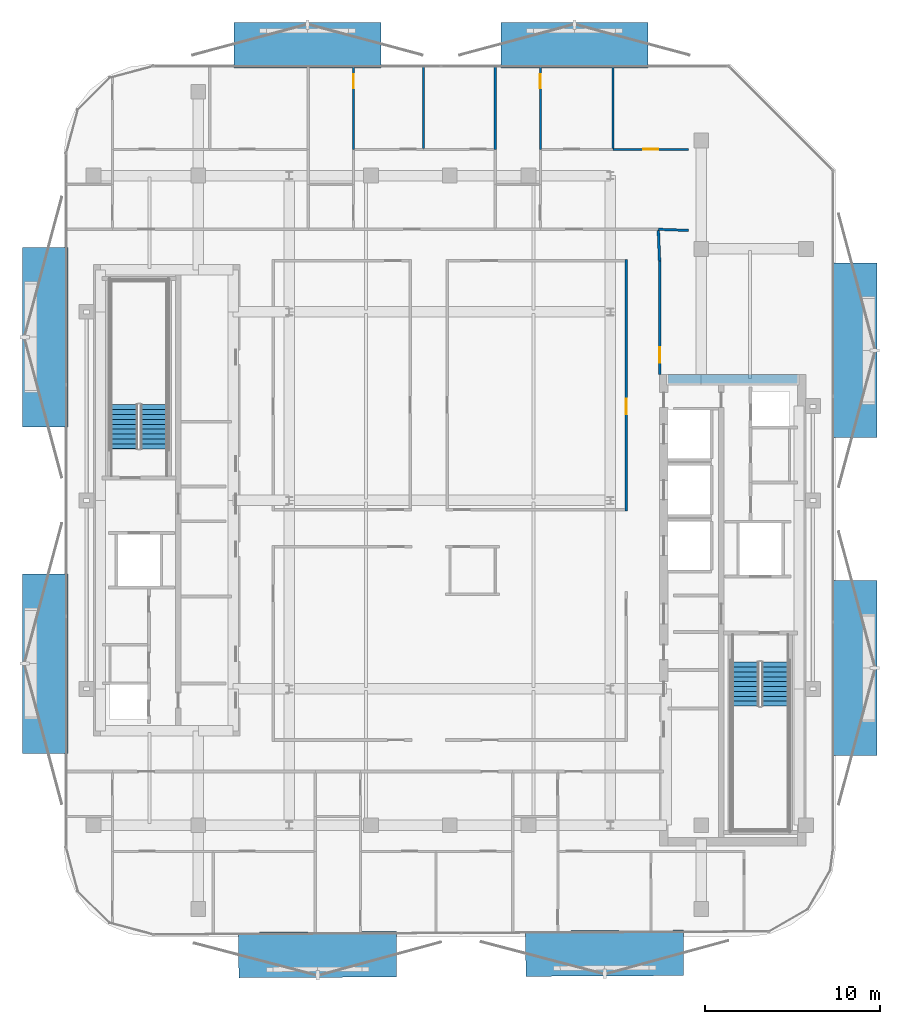
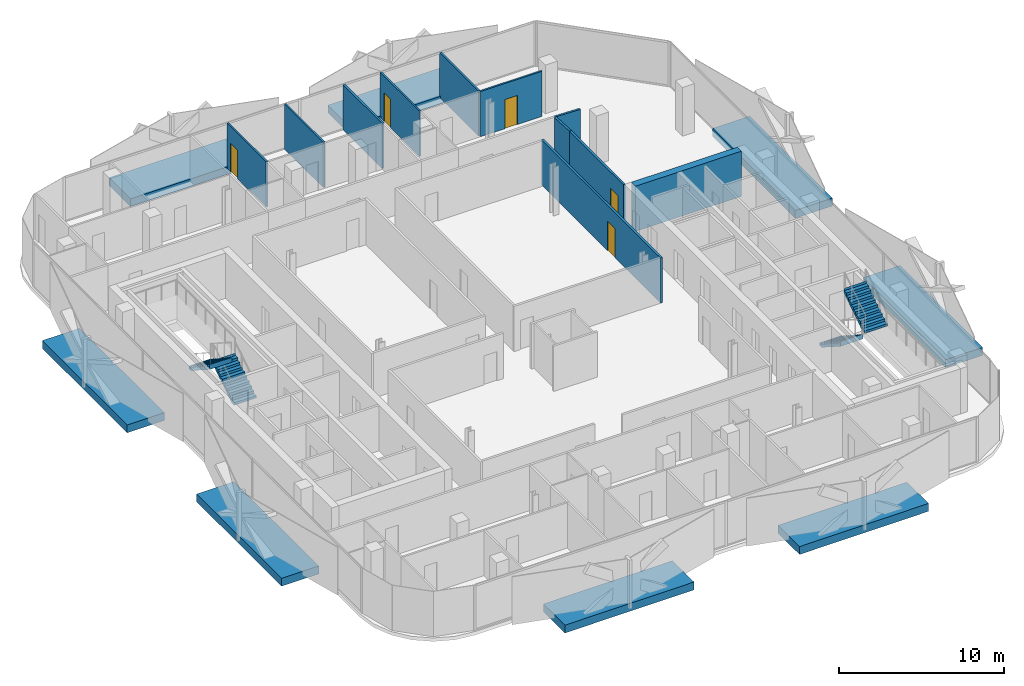
# One storey, part 7 of 16: 11 walls, 8 discrete accessories, 5 doors, 4 stair flights, 5 openings, 2 elements without a shape of their own.
"""IFC4 building model written with IfcOpenShell, lengths in metres."""

from ifc_helpers import new_model, si_unit, direction, frame, frame_2d, origin, origin_2d, place, context, subcontext, project, spatial, polyline, rectangle, outline, extrude, material, layer, layer_set, type_object, element, fill, aggregate, save


model = new_model("IFC4")

# Units and contexts
model_context = context("Model", 3, precision=1e-05, world=origin(), true_north=direction((0.0, 1.0)))
body_context = subcontext(model_context, "Body", "Model", "MODEL_VIEW")
ifc_project = project(units=[si_unit("LENGTHUNIT", "METRE"), si_unit("AREAUNIT", "SQUARE_METRE"), si_unit("VOLUMEUNIT", "CUBIC_METRE"), si_unit("PLANEANGLEUNIT", "RADIAN"), si_unit("MASSUNIT", "GRAM", prefix="KILO")], contexts=[model_context])

# Site, building, storey
site_placement = place(None, origin())
site = spatial("IfcSite", under=ifc_project, at=site_placement, CompositionType="ELEMENT")
building_placement = place(site_placement, origin())
building = spatial("IfcBuilding", under=site, at=building_placement, Name="Khairoan Windgate Tower", CompositionType="ELEMENT")
storey_placement = place(building_placement, frame((0.0, 0.0, 247.60009765625)))
storey = spatial("IfcBuildingStorey", under=building, at=storey_placement, Name="L58", CompositionType="ELEMENT", Elevation=247.60009765625)

# Walls
ifc_material_1 = material(Name="Acoustic Fire-Rated Gypsum Partition", Category="gypsum")
ifc_layer_1 = layer(ifc_material_1, 0.139892578125, Name="Acoustic Fire-Rated Gypsum Partition")
ifc_layer_set_1 = layer_set([ifc_layer_1], Name="Acoustic Fire-Rated Gypsum Partition")
wall_type_1 = type_object("IfcWallType", Name="Inter-Tenancy Compartment Wall", PredefinedType="PARTITIONING", material=ifc_layer_set_1)
wall_1_placement = place(storey_placement, frame((2.60009765625, 20.10009765625, 0.0), z_axis=(0.0, 0.0, 1.0), x_axis=(0.0, 1.0, 0.0)))
element("IfcWall", 1, at=wall_1_placement, inside=storey, type_object=wall_type_1, Name="L58 Interior Partition 062", PredefinedType="PARTITIONING", context=body_context, shape_type="SweptSolid", body=[
    extrude(rectangle(XDim=4.7548828125, YDim=0.139892578125, at=frame_2d((2.37744140625, 0.0))), origin(), (0.0, 0.0, 1.0), 3.33984375),
])
wall_2_placement = place(storey_placement, frame((11.93994140625, 15.52490234375, 0.0), z_axis=(0.0, 0.0, 1.0), x_axis=(0.999304229002, -0.037296888581, 0.0)))
element("IfcWall", 2, at=wall_2_placement, inside=storey, type_object=wall_type_1, Name="L58 Interior Partition 069", PredefinedType="PARTITIONING", context=body_context, shape_type="SweptSolid", body=[
    extrude(rectangle(XDim=1.7412109375, YDim=0.139892578125, at=frame_2d((0.87060546875, 0.0))), origin(), (0.0, 0.0, 1.0), 3.33984375),
])

# Wall, opening, door
ifc_material_2 = material(Name="Gypsum Stud Partition", Category="gypsum")
ifc_layer_2 = layer(ifc_material_2, 0.1201171875, Name="Gypsum Stud Partition")
ifc_layer_set_2 = layer_set([ifc_layer_2], Name="Gypsum Stud Partition")
wall_type_2 = type_object("IfcWallType", Name="Internal Room Partition Wall", PredefinedType="PARTITIONING", material=ifc_layer_set_2)
wall_3_placement = place(storey_placement, frame((-5.510009765625, 20.10009765625, 0.0), z_axis=(0.0, 0.0, 1.0), x_axis=(0.0, 1.0, 0.0)))
wall_3 = element("IfcWall", 3, at=wall_3_placement, inside=storey, type_object=wall_type_2, Name="L58 Interior Partition 056", PredefinedType="PARTITIONING", context=body_context, shape_type="SweptSolid", body=[
    extrude(rectangle(XDim=4.7548828125, YDim=0.1201171875, at=frame_2d((2.37744140625, 0.0))), origin(), (0.0, 0.0, 1.0), 3.33984375),
])
opening_1_placement = place(wall_3_placement, frame((3.4951171875, 0.0, 0.0)))
opening_1 = element("IfcOpeningElement", 4, at=opening_1_placement, cuts=wall_3, Name="Opening ID-BTH", PredefinedType="OPENING", context=body_context, shape_type="SweptSolid", body=[
    extrude(rectangle(XDim=0.800048828125, YDim=2.10009765625, at=frame_2d((0.39990234375, 1.050048828125))), frame((0.0, 0.070068359375, 0.0), z_axis=(0.0, -1.0, 0.0), x_axis=(1.0, 0.0, 0.0)), (0.0, 0.0, 1.0), 0.14013671875),
])
ifc_material_3 = material(Name="Teak Veneer Timber Leaf", Category="wood")
door_type_1 = type_object("IfcDoorType", Name="Internal Bathroom Door ID-BTH 800x2100", OperationType="NOTDEFINED", PredefinedType="DOOR", material=ifc_material_3)
door_1_placement = place(opening_1_placement, origin())
door_1 = element("IfcDoor", 5, at=door_1_placement, inside=storey, type_object=door_type_1, Name="L58 L58-41-L58-43 Door", OperationType="SINGLE_SWING_RIGHT", OverallHeight=2.10009765625, OverallWidth=0.800048828125, PredefinedType="DOOR", context=body_context, shape_type="SweptSolid", body=[
    extrude(rectangle(XDim=0.800048828125, YDim=2.10009765625, at=frame_2d((0.39990234375, 1.050048828125))), frame((0.0, 0.02490234375, 0.0), z_axis=(0.0, -1.0, 0.0), x_axis=(1.0, 0.0, 0.0)), (0.0, 0.0, 1.0), 0.050048828125),
])
fill(opening_1, door_1)

# Wall
wall_4_placement = place(storey_placement, frame((-1.4951171875, 20.159912109375, 0.0), z_axis=(0.0, 0.0, 1.0), x_axis=(0.0, 1.0, 0.0)))
element("IfcWall", 6, at=wall_4_placement, inside=storey, type_object=wall_type_2, Name="L58 Interior Partition 061", PredefinedType="PARTITIONING", context=body_context, shape_type="SweptSolid", body=[
    extrude(rectangle(XDim=4.695068359375, YDim=0.1201171875, at=frame_2d((2.34765625, 0.0))), origin(), (0.0, 0.0, 1.0), 3.33984375),
])

# Wall, opening, door
wall_5_placement = place(storey_placement, frame((5.18994140625, 20.10009765625, 0.0), z_axis=(0.0, 0.0, 1.0), x_axis=(0.0, 1.0, 0.0)))
wall_5 = element("IfcWall", 7, at=wall_5_placement, inside=storey, type_object=wall_type_2, Name="L58 Interior Partition 066", PredefinedType="PARTITIONING", context=body_context, shape_type="SweptSolid", body=[
    extrude(rectangle(XDim=4.7548828125, YDim=0.1201171875, at=frame_2d((2.37744140625, 0.0))), origin(), (0.0, 0.0, 1.0), 3.33984375),
])
opening_2_placement = place(wall_5_placement, frame((3.4951171875, 0.0, 0.0)))
opening_2 = element("IfcOpeningElement", 8, at=opening_2_placement, cuts=wall_5, Name="Opening ID-BTH", PredefinedType="OPENING", context=body_context, shape_type="SweptSolid", body=[
    extrude(rectangle(XDim=0.800048828125, YDim=2.10009765625, at=frame_2d((0.39990234375, 1.050048828125))), frame((0.0, 0.070068359375, 0.0), z_axis=(0.0, -1.0, 0.0), x_axis=(1.0, 0.0, 0.0)), (0.0, 0.0, 1.0), 0.14013671875),
])
door_2_placement = place(opening_2_placement, origin())
door_2 = element("IfcDoor", 9, at=door_2_placement, inside=storey, type_object=door_type_1, Name="L58 L58-46-L58-48 Door", OperationType="SINGLE_SWING_LEFT", OverallHeight=2.10009765625, OverallWidth=0.800048828125, PredefinedType="DOOR", context=body_context, shape_type="SweptSolid", body=[
    extrude(rectangle(XDim=0.800048828125, YDim=2.10009765625, at=frame_2d((0.39990234375, 1.050048828125))), frame((0.0, 0.02490234375, 0.0), z_axis=(0.0, -1.0, 0.0), x_axis=(1.0, 0.0, 0.0)), (0.0, 0.0, 1.0), 0.050048828125),
])
fill(opening_2, door_2)

wall_6_placement = place(storey_placement, frame((9.35498046875, 20.10009765625, 0.0), z_axis=(0.0, 0.0, 1.0), x_axis=(1.0, 0.0, 0.0)))
wall_6 = element("IfcWall", 10, at=wall_6_placement, inside=storey, type_object=wall_type_2, Name="L58 Interior Partition 068", PredefinedType="PARTITIONING", context=body_context, shape_type="SweptSolid", body=[
    extrude(rectangle(XDim=4.324951171875, YDim=0.1201171875, at=frame_2d((2.16259765625, 0.0))), origin(), (0.0, 0.0, 1.0), 3.33984375),
])
opening_3_placement = place(wall_6_placement, frame((1.732421875, 0.0, 0.0)))
opening_3 = element("IfcOpeningElement", 11, at=opening_3_placement, cuts=wall_6, Name="Opening ID-RM", PredefinedType="OPENING", context=body_context, shape_type="SweptSolid", body=[
    extrude(rectangle(XDim=0.860107421875, YDim=2.14990234375, at=frame_2d((0.43017578125, 1.074951171875))), frame((0.0, 0.070068359375, 0.0), z_axis=(0.0, -1.0, 0.0), x_axis=(1.0, 0.0, 0.0)), (0.0, 0.0, 1.0), 0.14013671875),
])
ifc_material_4 = material(Name="Teak Veneer Timber Leaf", Category="wood")
door_type_2 = type_object("IfcDoorType", Name="Internal Bedroom and Office Door ID-RM 860x2150", OperationType="NOTDEFINED", PredefinedType="DOOR", material=ifc_material_4)
door_3_placement = place(opening_3_placement, origin())
door_3 = element("IfcDoor", 12, at=door_3_placement, inside=storey, type_object=door_type_2, Name="L58 L58-47-L58-49 Door", OperationType="SINGLE_SWING_LEFT", OverallHeight=2.14990234375, OverallWidth=0.860107421875, PredefinedType="DOOR", context=body_context, shape_type="SweptSolid", body=[
    extrude(rectangle(XDim=0.860107421875, YDim=2.14990234375, at=frame_2d((0.43017578125, 1.074951171875))), frame((0.0, 0.02490234375, 0.0), z_axis=(0.0, -1.0, 0.0), x_axis=(1.0, 0.0, 0.0)), (0.0, 0.0, 1.0), 0.050048828125),
])
fill(opening_3, door_3)

# Wall
wall_7_placement = place(storey_placement, frame((9.35498046875, 20.159912109375, 0.0), z_axis=(0.0, 0.0, 1.0), x_axis=(0.0, 1.0, 0.0)))
element("IfcWall", 13, at=wall_7_placement, inside=storey, type_object=wall_type_2, Name="L58 Interior Partition 070", PredefinedType="PARTITIONING", context=body_context, shape_type="SweptSolid", body=[
    extrude(rectangle(XDim=4.695068359375, YDim=0.1201171875, at=frame_2d((2.34765625, 0.0))), origin(), (0.0, 0.0, 1.0), 3.33984375),
])

# Wall, opening, door
ifc_material_5 = material(Name="Acoustic Fire-Rated Gypsum Partition", Category="gypsum")
ifc_layer_3 = layer(ifc_material_5, 0.14990234375, Name="Acoustic Fire-Rated Gypsum Partition")
ifc_layer_set_3 = layer_set([ifc_layer_3], Name="Acoustic Fire-Rated Gypsum Partition")
wall_type_3 = type_object("IfcWallType", Name="Rated Corridor Partition Wall", PredefinedType="PARTITIONING", material=ifc_layer_set_3)
wall_8_placement = place(storey_placement, frame((12.014892578125, 7.199951171875, 0.0), z_axis=(0.0, 0.0, 1.0), x_axis=(0.0, 1.0, 0.0)))
wall_8 = element("IfcWall", 14, at=wall_8_placement, inside=storey, type_object=wall_type_3, Name="L58 Interior Partition 017", PredefinedType="PARTITIONING", context=body_context, shape_type="SweptSolid", body=[
    extrude(rectangle(XDim=6.52001953125, YDim=0.14990234375, at=frame_2d((3.260009765625, 0.0))), origin(), (0.0, 0.0, 1.0), 3.33984375),
])
opening_4_placement = place(wall_8_placement, frame((0.669921875, 0.0, 0.0)))
opening_4 = element("IfcOpeningElement", 15, at=opening_4_placement, cuts=wall_8, Name="Opening FD-ENT", PredefinedType="OPENING", context=body_context, shape_type="SweptSolid", body=[
    extrude(rectangle(XDim=0.89990234375, YDim=2.14990234375, at=frame_2d((0.449951171875, 1.074951171875))), frame((0.0, 0.0849609375, 0.0), z_axis=(0.0, -1.0, 0.0), x_axis=(1.0, 0.0, 0.0)), (0.0, 0.0, 1.0), 0.169921875),
])
ifc_material_6 = material(Name="Timber Fire-Rated Core", Category="wood")
door_type_3 = type_object("IfcDoorType", Name="Unit and Office Fire Entrance Door FD-ENT 900x2150", OperationType="NOTDEFINED", PredefinedType="DOOR", material=ifc_material_6)
door_4_placement = place(opening_4_placement, origin())
door_4 = element("IfcDoor", 16, at=door_4_placement, inside=storey, type_object=door_type_3, Name="L58 L58-30-L58-66 Door", OperationType="SINGLE_SWING_RIGHT", OverallHeight=2.14990234375, OverallWidth=0.89990234375, PredefinedType="DOOR", context=body_context, shape_type="SweptSolid", body=[
    extrude(rectangle(XDim=0.89990234375, YDim=2.14990234375, at=frame_2d((0.449951171875, 1.074951171875))), frame((0.0, 0.02490234375, 0.0), z_axis=(0.0, -1.0, 0.0), x_axis=(1.0, 0.0, 0.0)), (0.0, 0.0, 1.0), 0.050048828125),
])
fill(opening_4, door_4)

wall_9_placement = place(storey_placement, frame((10.10009765625, -0.610107421875, 0.0), z_axis=(0.0, 0.0, 1.0), x_axis=(0.0, 1.0, 0.0)))
wall_9 = element("IfcWall", 17, at=wall_9_placement, inside=storey, type_object=wall_type_3, Name="L58 Interior Partition 018", PredefinedType="PARTITIONING", context=body_context, shape_type="SweptSolid", body=[
    extrude(rectangle(XDim=14.405029296875, YDim=0.14990234375, at=frame_2d((7.20263671875, 0.0))), origin(), (0.0, 0.0, 1.0), 3.33984375),
])
opening_5_placement = place(wall_9_placement, frame((5.53466796875, 0.0, 0.0)))
opening_5 = element("IfcOpeningElement", 18, at=opening_5_placement, cuts=wall_9, Name="Opening FD-ENT", PredefinedType="OPENING", context=body_context, shape_type="SweptSolid", body=[
    extrude(rectangle(XDim=0.89990234375, YDim=2.14990234375, at=frame_2d((0.449951171875, 1.074951171875))), frame((0.0, 0.0849609375, 0.0), z_axis=(0.0, -1.0, 0.0), x_axis=(1.0, 0.0, 0.0)), (0.0, 0.0, 1.0), 0.169921875),
])
door_5_placement = place(opening_5_placement, origin())
door_5 = element("IfcDoor", 19, at=door_5_placement, inside=storey, type_object=door_type_3, Name="L58 L58-30-L58-69 Door", OperationType="SINGLE_SWING_LEFT", OverallHeight=2.14990234375, OverallWidth=0.89990234375, PredefinedType="DOOR", context=body_context, shape_type="SweptSolid", body=[
    extrude(rectangle(XDim=0.89990234375, YDim=2.14990234375, at=frame_2d((0.449951171875, 1.074951171875))), frame((0.0, 0.02490234375, 0.0), z_axis=(0.0, -1.0, 0.0), x_axis=(1.0, 0.0, 0.0)), (0.0, 0.0, 1.0), 0.050048828125),
])
fill(opening_5, door_5)

# Walls
wall_10_placement = place(storey_placement, frame((12.014892578125, 13.719970703125, 0.0), z_axis=(0.0, 0.0, 1.0), x_axis=(-0.040046877756, 0.99919780203, 0.0)))
element("IfcWall", 20, at=wall_10_placement, inside=storey, type_object=wall_type_3, Name="L58 Interior Partition 032", PredefinedType="PARTITIONING", context=body_context, shape_type="SweptSolid", body=[
    extrude(rectangle(XDim=1.7314453125, YDim=0.14990234375, at=frame_2d((0.86572265625, 0.0))), origin(), (0.0, 0.0, 1.0), 3.33984375),
])
ifc_material_7 = material(Name="Concrete C50/60", Category="concrete")
ifc_layer_4 = layer(ifc_material_7, 0.5, Name="Concrete C50/60")
ifc_layer_set_4 = layer_set([ifc_layer_4], Name="Concrete C50/60")
wall_type_4 = type_object("IfcWallType", Name="Shear Wall CW-E3 500mm", PredefinedType="SHEAR", material=ifc_layer_set_4)
wall_11_placement = place(storey_placement, frame((12.5, 6.949951171875, 0.0), z_axis=(0.0, 0.0, 1.0), x_axis=(1.0, 0.0, 0.0)))
element("IfcWall", 21, at=wall_11_placement, inside=storey, type_object=wall_type_4, Name="E Core North Shear Wall L58", PredefinedType="SHEAR", context=body_context, shape_type="SweptSolid", body=[
    extrude(rectangle(XDim=7.39990234375, YDim=0.5, at=frame_2d((3.699951171875, 0.0))), origin(), (0.0, 0.0, 1.0), 3.33984375),
])

# Stair, stair flights
ifc_material_8 = material(Name="Concrete C40/50", Category="concrete")
stair_type = type_object("IfcStairType", Name="Tower Core Dog-Leg Stair ST-T1 1560mm", PredefinedType="HALF_TURN_STAIR", material=ifc_material_8)
stair_1_placement = place(storey_placement, origin())
stair_1 = element("IfcStair", 22, at=stair_1_placement, inside=storey, type_object=stair_type, Name="L58 Stair ST1", PredefinedType="HALF_TURN_STAIR")
ifc_material_9 = material(Name="Concrete C40/50", Category="concrete")
ifc_layer_5 = layer(ifc_material_9, 0.14990234375, Name="Concrete C40/50")
ifc_layer_set_5 = layer_set([ifc_layer_5], Name="Concrete C40/50")
stair_flight_type = type_object("IfcStairFlightType", Name="Tower Core Stair Flight STF-1560", PredefinedType="STRAIGHT", material=ifc_layer_set_5)
stair_flight_1_placement = place(storey_placement, frame((16.929931640625, -9.260009765625, 0.0), z_axis=(0.0, 0.0, 1.0), x_axis=(0.0, -1.0, 0.0)))
stair_flight_1 = element("IfcStairFlight", 23, at=stair_flight_1_placement, type_object=stair_flight_type, Name="ST1 flight 1", NumberOfRisers=10, NumberOfTreads=9, PredefinedType="STRAIGHT", RiserHeight=0.18, TreadLength=0.28, context=body_context, shape_type="SweptSolid", body=[
    extrude(outline(polyline([(-0.00390625, 0.0), (-0.00390625, 0.179931640625), (0.0, 0.179931640625), (0.280029296875, 0.179931640625), (0.280029296875, 0.360107421875), (0.56005859375, 0.360107421875), (0.56005859375, 0.5400390625), (0.840087890625, 0.5400390625), (0.840087890625, 0.719970703125), (1.1201171875, 0.719970703125), (1.1201171875, 0.89990234375), (1.39990234375, 0.89990234375), (1.39990234375, 1.080078125), (1.679931640625, 1.080078125), (1.679931640625, 1.260009765625), (1.9599609375, 1.260009765625), (1.9599609375, 1.43994140625), (2.239990234375, 1.43994140625), (2.239990234375, 1.6201171875), (2.52001953125, 1.6201171875), (2.52001953125, 1.800048828125), (2.52392578125, 1.800048828125), (2.52392578125, 1.44189453125), (0.277099609375, 0.0), (-0.00390625, 0.0)])), frame((0.0, 0.780029296875, 0.0), z_axis=(0.0, -1.0, 0.0), x_axis=(1.0, 0.0, 0.0)), (0.0, 0.0, 1.0), 1.56005859375),
])
stair_flight_2_placement = place(storey_placement, frame((18.639892578125, -11.780029296875, 1.7998046875), z_axis=(0.0, 0.0, 1.0), x_axis=(0.0, 1.0, 0.0)))
stair_flight_2 = element("IfcStairFlight", 24, at=stair_flight_2_placement, type_object=stair_flight_type, Name="ST1 flight 2", NumberOfRisers=10, NumberOfTreads=9, PredefinedType="STRAIGHT", RiserHeight=0.18, TreadLength=0.28, context=body_context, shape_type="SweptSolid", body=[
    extrude(outline(polyline([(-0.00390625, 0.0), (-0.00390625, 0.179931640625), (0.0, 0.179931640625), (0.280029296875, 0.179931640625), (0.280029296875, 0.360107421875), (0.56005859375, 0.360107421875), (0.56005859375, 0.5400390625), (0.840087890625, 0.5400390625), (0.840087890625, 0.719970703125), (1.1201171875, 0.719970703125), (1.1201171875, 0.89990234375), (1.39990234375, 0.89990234375), (1.39990234375, 1.080078125), (1.679931640625, 1.080078125), (1.679931640625, 1.260009765625), (1.9599609375, 1.260009765625), (1.9599609375, 1.43994140625), (2.239990234375, 1.43994140625), (2.239990234375, 1.6201171875), (2.52001953125, 1.6201171875), (2.52001953125, 1.800048828125), (2.52392578125, 1.800048828125), (2.52392578125, 1.44189453125), (0.277099609375, 0.0), (-0.00390625, 0.0)])), frame((0.0, 0.780029296875, 0.0), z_axis=(0.0, -1.0, 0.0), x_axis=(1.0, 0.0, 0.0)), (0.0, 0.0, 1.0), 1.56005859375),
])
aggregate(stair_1, [stair_flight_1, stair_flight_2])

stair_2_placement = place(storey_placement, origin())
stair_2 = element("IfcStair", 25, at=stair_2_placement, inside=storey, type_object=stair_type, Name="L58 Stair ST2", PredefinedType="HALF_TURN_STAIR")
stair_flight_3_placement = place(storey_placement, frame((-16.929931640625, 2.9599609375, 0.0), z_axis=(0.0, 0.0, 1.0), x_axis=(0.0, 1.0, 0.0)))
stair_flight_3 = element("IfcStairFlight", 26, at=stair_flight_3_placement, type_object=stair_flight_type, Name="ST2 flight 1", NumberOfRisers=10, NumberOfTreads=9, PredefinedType="STRAIGHT", RiserHeight=0.18, TreadLength=0.28, context=body_context, shape_type="SweptSolid", body=[
    extrude(outline(polyline([(-0.00390625, 0.0), (-0.00390625, 0.179931640625), (0.0, 0.179931640625), (0.280029296875, 0.179931640625), (0.280029296875, 0.360107421875), (0.56005859375, 0.360107421875), (0.56005859375, 0.5400390625), (0.840087890625, 0.5400390625), (0.840087890625, 0.719970703125), (1.1201171875, 0.719970703125), (1.1201171875, 0.89990234375), (1.39990234375, 0.89990234375), (1.39990234375, 1.080078125), (1.679931640625, 1.080078125), (1.679931640625, 1.260009765625), (1.9599609375, 1.260009765625), (1.9599609375, 1.43994140625), (2.239990234375, 1.43994140625), (2.239990234375, 1.6201171875), (2.52001953125, 1.6201171875), (2.52001953125, 1.800048828125), (2.52392578125, 1.800048828125), (2.52392578125, 1.44189453125), (0.277099609375, 0.0), (-0.00390625, 0.0)])), frame((0.0, 0.780029296875, 0.0), z_axis=(0.0, -1.0, 0.0), x_axis=(1.0, 0.0, 0.0)), (0.0, 0.0, 1.0), 1.56005859375),
])
stair_flight_4_placement = place(storey_placement, frame((-18.639892578125, 5.47998046875, 1.7998046875), z_axis=(0.0, 0.0, 1.0), x_axis=(0.0, -1.0, 0.0)))
stair_flight_4 = element("IfcStairFlight", 27, at=stair_flight_4_placement, type_object=stair_flight_type, Name="ST2 flight 2", NumberOfRisers=10, NumberOfTreads=9, PredefinedType="STRAIGHT", RiserHeight=0.18, TreadLength=0.28, context=body_context, shape_type="SweptSolid", body=[
    extrude(outline(polyline([(-0.00390625, 0.0), (-0.00390625, 0.179931640625), (0.0, 0.179931640625), (0.280029296875, 0.179931640625), (0.280029296875, 0.360107421875), (0.56005859375, 0.360107421875), (0.56005859375, 0.5400390625), (0.840087890625, 0.5400390625), (0.840087890625, 0.719970703125), (1.1201171875, 0.719970703125), (1.1201171875, 0.89990234375), (1.39990234375, 0.89990234375), (1.39990234375, 1.080078125), (1.679931640625, 1.080078125), (1.679931640625, 1.260009765625), (1.9599609375, 1.260009765625), (1.9599609375, 1.43994140625), (2.239990234375, 1.43994140625), (2.239990234375, 1.6201171875), (2.52001953125, 1.6201171875), (2.52001953125, 1.800048828125), (2.52392578125, 1.800048828125), (2.52392578125, 1.44189453125), (0.277099609375, 0.0), (-0.00390625, 0.0)])), frame((0.0, 0.780029296875, 0.0), z_axis=(0.0, -1.0, 0.0), x_axis=(1.0, 0.0, 0.0)), (0.0, 0.0, 1.0), 1.56005859375),
])
aggregate(stair_2, [stair_flight_3, stair_flight_4])

# Discrete accessories
ifc_material_10 = material(Name="Steel S355", Category="steel")
discrete_accessory_type = type_object("IfcDiscreteAccessoryType", Name="Solar Screen Outrigger Slab Bracket SSB-1", PredefinedType="BRACKET", material=ifc_material_10)
for number, where, z_axis, x_axis, name in (
    (28, (8.87060546875, -25.935302734375, -0.420166015625), (0.0, 0.0, 1.0), (-0.999988059021, -0.004886902454, 0.0), "L58 Solar Screen Outrigger Bracket 393"),
    (29, (-7.56640625, -26.014404296875, -0.420166015625), (0.0, 0.0, 1.0), (-0.999988059021, -0.004886902454, 0.0), "L58 Solar Screen Outrigger Bracket 394"),
):
    element("IfcDiscreteAccessory", number, at=place(storey_placement, frame(where, z_axis=z_axis, x_axis=x_axis)), inside=storey, type_object=discrete_accessory_type, Name=name, PredefinedType="BRACKET", context=body_context, shape_type="SweptSolid", body=[
        extrude(rectangle(XDim=9.041015625, YDim=2.60009765625, at=origin_2d()), origin(), (0.0, 0.0, 1.0), 0.580078125),
    ])
for number, where, z_axis, x_axis, name in (
    (30, (-23.159912109375, -9.345458984375, -0.420166015625), (0.0, 0.0, 1.0), (0.0, 1.0, 0.0), "L58 Solar Screen Outrigger Bracket 395"),
    (31, (-23.159912109375, 9.345458984375, -0.420166015625), (0.0, 0.0, 1.0), (0.0, 1.0, 0.0), "L58 Solar Screen Outrigger Bracket 396"),
):
    element("IfcDiscreteAccessory", number, at=place(storey_placement, frame(where, z_axis=z_axis, x_axis=x_axis)), inside=storey, type_object=discrete_accessory_type, Name=name, PredefinedType="BRACKET", context=body_context, shape_type="SweptSolid", body=[
        extrude(rectangle(XDim=10.280029296875, YDim=2.60009765625, at=origin_2d()), origin(), (0.0, 0.0, 1.0), 0.580078125),
    ])
for number, where, z_axis, x_axis, name in (
    (32, (-8.147705078125, 26.06005859375, -0.420166015625), (0.0, 0.0, 1.0), (1.0, 0.0, 0.0), "L58 Solar Screen Outrigger Bracket 397"),
    (33, (7.138916015625, 26.06005859375, -0.420166015625), (0.0, 0.0, 1.0), (1.0, 0.0, 0.0), "L58 Solar Screen Outrigger Bracket 398"),
):
    element("IfcDiscreteAccessory", number, at=place(storey_placement, frame(where, z_axis=z_axis, x_axis=x_axis)), inside=storey, type_object=discrete_accessory_type, Name=name, PredefinedType="BRACKET", context=body_context, shape_type="SweptSolid", body=[
        extrude(rectangle(XDim=8.407958984375, YDim=2.60009765625, at=origin_2d()), origin(), (0.0, 0.0, 1.0), 0.580078125),
    ])
for number, where, z_axis, x_axis, name in (
    (34, (23.159912109375, 8.5888671875, -0.420166015625), (0.0, 0.0, 1.0), (0.0, -1.0, 0.0), "L58 Solar Screen Outrigger Bracket 399"),
    (35, (23.159912109375, -9.59765625, -0.420166015625), (0.0, 0.0, 1.0), (0.0, -1.0, 0.0), "L58 Solar Screen Outrigger Bracket 400"),
):
    element("IfcDiscreteAccessory", number, at=place(storey_placement, frame(where, z_axis=z_axis, x_axis=x_axis)), inside=storey, type_object=discrete_accessory_type, Name=name, PredefinedType="BRACKET", context=body_context, shape_type="SweptSolid", body=[
        extrude(rectangle(XDim=10.0029296875, YDim=2.60009765625, at=origin_2d()), origin(), (0.0, 0.0, 1.0), 0.580078125),
    ])

save(model, "model.ifc")
